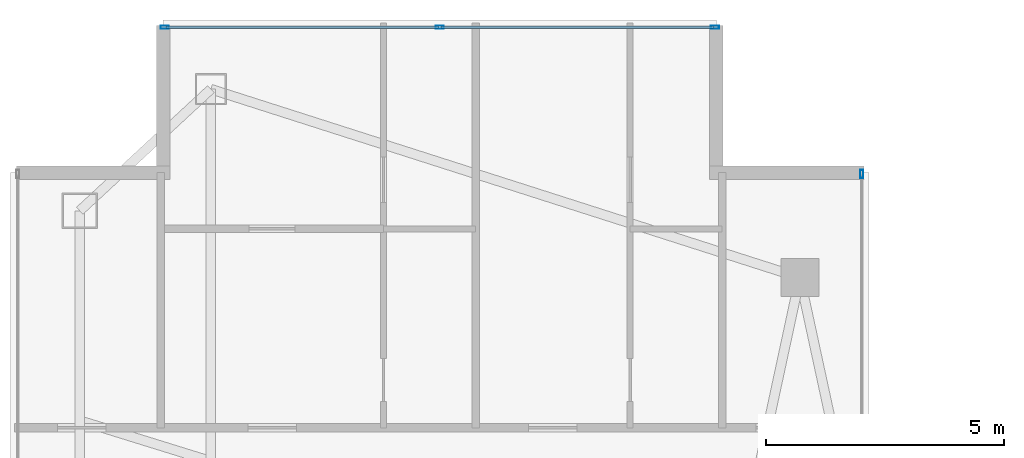
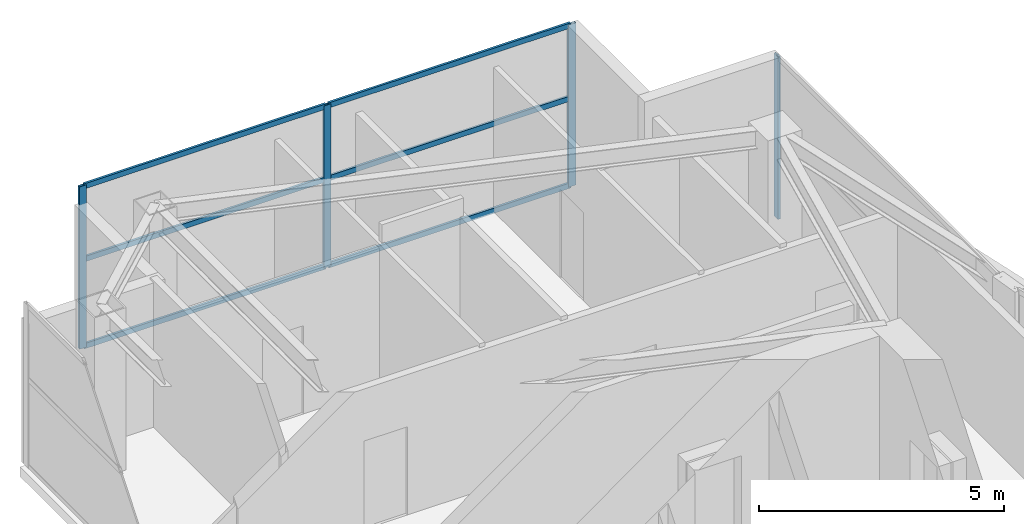
# One storey, part 21 of 29: 10 members, 2 elements without a shape of their own.
"""IFC4 building model written with IfcOpenShell, lengths in metres."""

from ifc_helpers import new_model, si_unit, direction, frame, origin, origin_2d, place, context, subcontext, project, spatial, hollow_rectangle, extrude, material, layer, layer_set, material_profile, profile_set, type_object, element, aggregate, save


model = new_model("IFC4")

# Units and contexts
model_context = context("Model", 3, precision=1e-05, world=origin(), true_north=direction((0.0, 1.0)))
body_context = subcontext(model_context, "Body", "Model", "MODEL_VIEW")
ifc_project = project(units=[si_unit("LENGTHUNIT", "METRE"), si_unit("AREAUNIT", "SQUARE_METRE"), si_unit("VOLUMEUNIT", "CUBIC_METRE"), si_unit("PLANEANGLEUNIT", "RADIAN"), si_unit("MASSUNIT", "GRAM", prefix="KILO")], contexts=[model_context])

# Site, building, storey
site_placement = place(None, origin())
site = spatial("IfcSite", under=ifc_project, at=site_placement, CompositionType="ELEMENT")
building_placement = place(site_placement, origin())
building = spatial("IfcBuilding", under=site, at=building_placement, Name="Calvorn Quay Hotel", CompositionType="ELEMENT")
storey_placement = place(building_placement, frame((0.0, 0.0, 259.0)))
storey = spatial("IfcBuildingStorey", under=building, at=storey_placement, Name="L64", CompositionType="ELEMENT", Elevation=259.0)

# Curtain wall, member
ifc_material_1 = material(Name="Champagne Bronze Anodised Aluminium and Low-E Glass", Category="aluminium")
ifc_layer = layer(ifc_material_1, 0.219970703125)
ifc_layer_set = layer_set([ifc_layer], Name="CW-SYS-Z4")
curtain_wall_type = type_object("IfcCurtainWallType", Name="CW-SYS-Z4", PredefinedType="NOTDEFINED", material=ifc_layer_set)
curtain_wall_1_placement = place(storey_placement, origin())
curtain_wall_1 = element("IfcCurtainWall", 1, at=curtain_wall_1_placement, inside=storey, type_object=curtain_wall_type, Name="Inner Court Curtain Wall L64-IC2", PredefinedType="NOTDEFINED")
ifc_material_2 = material(Name="Champagne Bronze Anodised Aluminium 6063-T6", Category="aluminium")
ifc_material_profile_1 = material_profile(ifc_material_2, hollow_rectangle(XDim=0.06494140625, YDim=0.169921875, WallThickness=0.00341796875, at=origin_2d()), Name="ALU-M170x65x3.5")
ifc_profile_set_1 = profile_set([ifc_material_profile_1], Name="Champagne Bronze Anodised Aluminium 6063-T6")
member_type_1 = type_object("IfcMemberType", Name="CW-SYS-Z4-MUL", PredefinedType="MULLION", material=ifc_profile_set_1)
member_1_placement = place(storey_placement, frame((17.85009765625, 47.77001953125, 0.0), z_axis=(0.0, 0.0, 1.0), x_axis=(-1.0, 0.0, 0.0)))
member_1 = element("IfcMember", 2, at=member_1_placement, type_object=member_type_1, Name="CW-L64-IC2 mullion 2", PredefinedType="MULLION", context=body_context, shape_type="SweptSolid", body=[
    extrude(hollow_rectangle(XDim=0.06494140625, YDim=0.169921875, WallThickness=0.00341796875, at=origin_2d()), origin(), (0.0, 0.0, 1.0), 4.050048828125),
])
aggregate(curtain_wall_1, [member_1])

# Curtain wall, members
curtain_wall_2_placement = place(storey_placement, origin())
curtain_wall_2 = element("IfcCurtainWall", 3, at=curtain_wall_2_placement, inside=storey, type_object=curtain_wall_type, Name="Inner Court Curtain Wall L64-N1", PredefinedType="NOTDEFINED")
member_2_placement = place(storey_placement, frame((14.77001953125, 50.85009765625, 0.0), z_axis=(0.0, 0.0, 1.0), x_axis=(0.0, -1.0, 0.0)))
member_2 = element("IfcMember", 4, at=member_2_placement, type_object=member_type_1, Name="CW-L64-N1 mullion 1", PredefinedType="MULLION", context=body_context, shape_type="SweptSolid", body=[
    extrude(hollow_rectangle(XDim=0.06494140625, YDim=0.169921875, WallThickness=0.00341796875, at=origin_2d()), origin(), (0.0, 0.0, 1.0), 4.050048828125),
])
member_3_placement = place(storey_placement, frame((9.0, 50.85009765625, 0.0), z_axis=(0.0, 0.0, 1.0), x_axis=(0.0, -1.0, 0.0)))
member_3 = element("IfcMember", 5, at=member_3_placement, type_object=member_type_1, Name="CW-L64-N1 mullion 2", PredefinedType="MULLION", context=body_context, shape_type="SweptSolid", body=[
    extrude(hollow_rectangle(XDim=0.06494140625, YDim=0.169921875, WallThickness=0.00341796875, at=origin_2d()), origin(), (0.0, 0.0, 1.0), 4.050048828125),
])
member_4_placement = place(storey_placement, frame((3.22998046875, 50.85009765625, 0.0), z_axis=(0.0, 0.0, 1.0), x_axis=(0.0, -1.0, 0.0)))
member_4 = element("IfcMember", 6, at=member_4_placement, type_object=member_type_1, Name="CW-L64-N1 mullion 3", PredefinedType="MULLION", context=body_context, shape_type="SweptSolid", body=[
    extrude(hollow_rectangle(XDim=0.06494140625, YDim=0.169921875, WallThickness=0.00341796875, at=origin_2d()), origin(), (0.0, 0.0, 1.0), 4.050048828125),
])
ifc_material_3 = material(Name="Champagne Bronze Anodised Aluminium 6063-T6", Category="aluminium")
ifc_material_profile_2 = material_profile(ifc_material_3, hollow_rectangle(XDim=0.054931640625, YDim=0.1298828125, WallThickness=0.003173828125, at=origin_2d()), Name="ALU-T130x55x3.2")
ifc_profile_set_2 = profile_set([ifc_material_profile_2], Name="Champagne Bronze Anodised Aluminium 6063-T6")
member_type_2 = type_object("IfcMemberType", Name="CW-SYS-Z4-TRN", PredefinedType="USERDEFINED", material=ifc_profile_set_2)
member_5_placement = place(storey_placement, frame((14.739990234375, 50.85009765625, 0.030029296875), z_axis=(-1.0, 0.0, 0.0), x_axis=(0.0, -1.0, 0.0)))
member_5 = element("IfcMember", 7, at=member_5_placement, type_object=member_type_2, Name="CW-L64-N1 transom 1.1", ObjectType="TRANSOM", PredefinedType="USERDEFINED", context=body_context, shape_type="SweptSolid", body=[
    extrude(hollow_rectangle(XDim=0.054931640625, YDim=0.1298828125, WallThickness=0.003173828125, at=origin_2d()), origin(), (0.0, 0.0, 1.0), 5.7099609375),
])
member_6_placement = place(storey_placement, frame((14.739990234375, 50.85009765625, 2.199951171875), z_axis=(-1.0, 0.0, 0.0), x_axis=(0.0, -1.0, 0.0)))
member_6 = element("IfcMember", 8, at=member_6_placement, type_object=member_type_2, Name="CW-L64-N1 transom 1.2", ObjectType="TRANSOM", PredefinedType="USERDEFINED", context=body_context, shape_type="SweptSolid", body=[
    extrude(hollow_rectangle(XDim=0.054931640625, YDim=0.1298828125, WallThickness=0.003173828125, at=origin_2d()), origin(), (0.0, 0.0, 1.0), 5.7099609375),
])
member_7_placement = place(storey_placement, frame((14.739990234375, 50.85009765625, 4.02001953125), z_axis=(-1.0, 0.0, 0.0), x_axis=(0.0, -1.0, 0.0)))
member_7 = element("IfcMember", 9, at=member_7_placement, type_object=member_type_2, Name="CW-L64-N1 transom 1.3", ObjectType="TRANSOM", PredefinedType="USERDEFINED", context=body_context, shape_type="SweptSolid", body=[
    extrude(hollow_rectangle(XDim=0.054931640625, YDim=0.1298828125, WallThickness=0.003173828125, at=origin_2d()), origin(), (0.0, 0.0, 1.0), 5.7099609375),
])
member_8_placement = place(storey_placement, frame((8.969970703125, 50.85009765625, 0.030029296875), z_axis=(-1.0, 0.0, 0.0), x_axis=(0.0, -1.0, 0.0)))
member_8 = element("IfcMember", 10, at=member_8_placement, type_object=member_type_2, Name="CW-L64-N1 transom 2.1", ObjectType="TRANSOM", PredefinedType="USERDEFINED", context=body_context, shape_type="SweptSolid", body=[
    extrude(hollow_rectangle(XDim=0.054931640625, YDim=0.1298828125, WallThickness=0.003173828125, at=origin_2d()), origin(), (0.0, 0.0, 1.0), 5.7099609375),
])
member_9_placement = place(storey_placement, frame((8.969970703125, 50.85009765625, 2.199951171875), z_axis=(-1.0, 0.0, 0.0), x_axis=(0.0, -1.0, 0.0)))
member_9 = element("IfcMember", 11, at=member_9_placement, type_object=member_type_2, Name="CW-L64-N1 transom 2.2", ObjectType="TRANSOM", PredefinedType="USERDEFINED", context=body_context, shape_type="SweptSolid", body=[
    extrude(hollow_rectangle(XDim=0.054931640625, YDim=0.1298828125, WallThickness=0.003173828125, at=origin_2d()), origin(), (0.0, 0.0, 1.0), 5.7099609375),
])
member_10_placement = place(storey_placement, frame((8.969970703125, 50.85009765625, 4.02001953125), z_axis=(-1.0, 0.0, 0.0), x_axis=(0.0, -1.0, 0.0)))
member_10 = element("IfcMember", 12, at=member_10_placement, type_object=member_type_2, Name="CW-L64-N1 transom 2.3", ObjectType="TRANSOM", PredefinedType="USERDEFINED", context=body_context, shape_type="SweptSolid", body=[
    extrude(hollow_rectangle(XDim=0.054931640625, YDim=0.1298828125, WallThickness=0.003173828125, at=origin_2d()), origin(), (0.0, 0.0, 1.0), 5.7099609375),
])
aggregate(curtain_wall_2, [member_2, member_3, member_4, member_5, member_6, member_7, member_8, member_9, member_10])

save(model, "model.ifc")
